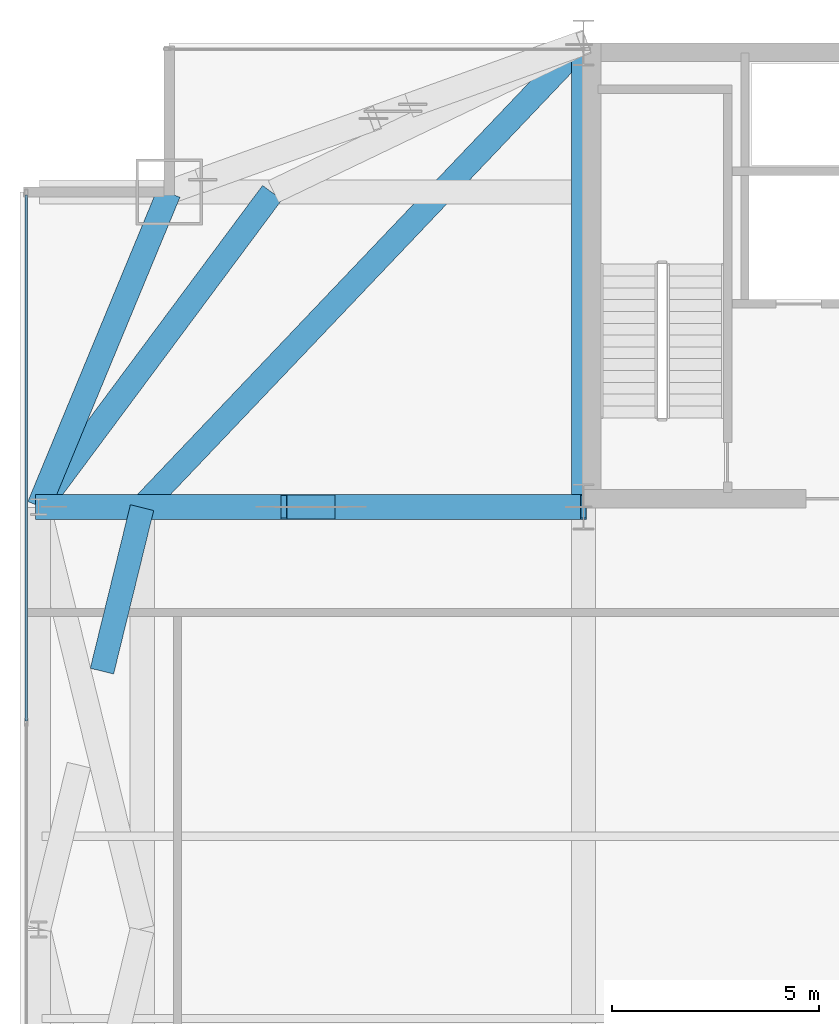
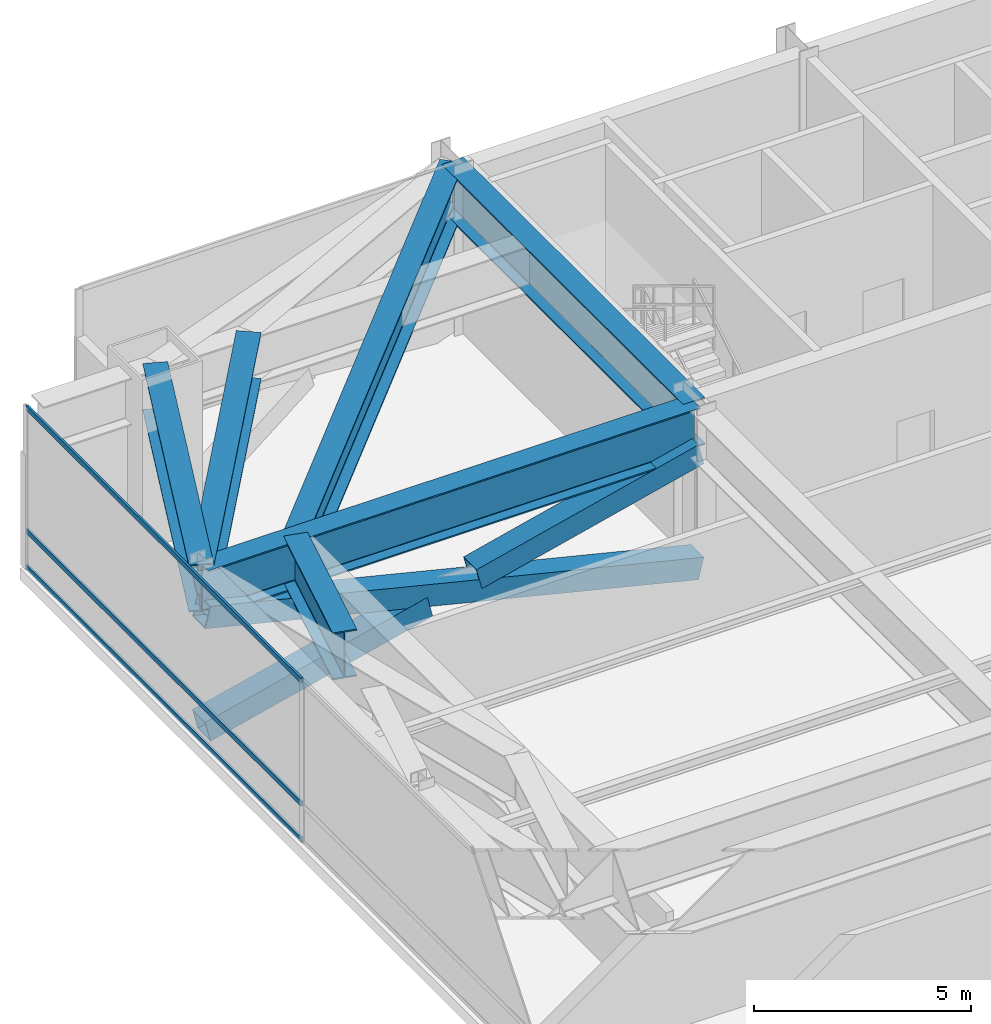
# One storey, part 21 of 30: 6 beams, 6 members, 1 element without a shape of its own.
"""IFC4 building model written with IfcOpenShell, lengths in metres."""

from ifc_helpers import new_model, si_unit, direction, frame, origin, origin_2d, place, context, subcontext, project, spatial, hollow_rectangle, i_section, extrude, source, transform, mapped, material, layer, layer_set, material_profile, profile_set, type_object, type_shapes, element, aggregate, save


model = new_model("IFC4")

# Units and contexts
model_context = context("Model", 3, precision=1e-05, world=origin(), true_north=direction((0.0, 1.0)))
body_context = subcontext(model_context, "Body", "Model", "MODEL_VIEW")
ifc_project = project(units=[si_unit("LENGTHUNIT", "METRE"), si_unit("AREAUNIT", "SQUARE_METRE"), si_unit("VOLUMEUNIT", "CUBIC_METRE"), si_unit("PLANEANGLEUNIT", "RADIAN"), si_unit("MASSUNIT", "GRAM", prefix="KILO")], contexts=[model_context])

# Site, building, storey
site_placement = place(None, origin())
site = spatial("IfcSite", under=ifc_project, at=site_placement, CompositionType="ELEMENT")
building_placement = place(site_placement, origin())
building = spatial("IfcBuilding", under=site, at=building_placement, Name="Varnel Quay Broadcast Tower", CompositionType="ELEMENT")
storey_placement = place(building_placement, frame((0.0, 0.0, 82.199951171875)))
storey = spatial("IfcBuildingStorey", under=building, at=storey_placement, Name="L19", CompositionType="ELEMENT", Elevation=82.199951171875)

# Beams
ifc_material_1 = material(Name="Structural Steel CSA G40.21 350WT", Category="steel")
ifc_material_profile_1 = material_profile(ifc_material_1, i_section(OverallWidth=0.580078125, OverallDepth=1.330078125, WebThickness=0.02197265625, FlangeThickness=0.0380859375, FilletRadius=0.02001953125, at=origin_2d()), Name="WWF1330X535")
ifc_profile_set_1 = profile_set([ifc_material_profile_1], Name="Structural Steel CSA G40.21 350WT")
beam_type = type_object("IfcBeamType", Name="Girder_WWF1330X535", PredefinedType="BEAM", material=ifc_profile_set_1)
shared_shape_1 = source(origin(), body_context, "Body", "SweptSolid", [
    extrude(i_section(OverallWidth=0.580078125, OverallDepth=1.330078125, WebThickness=0.02197265625, FlangeThickness=0.0380859375, FilletRadius=0.02001953125, at=origin_2d()), origin(), (0.0, 0.0, 1.0), 13.110107421875),
])
beam_1_placement = place(storey_placement, frame((2.469970703125, 35.60009765625, 3.885009765625), z_axis=(1.0, 0.0, 0.0), x_axis=(0.0, 1.0, 0.0)))
element("IfcBeam", 1, at=beam_1_placement, inside=storey, type_object=beam_type, Name="L19 West Core Tie Transfer", PredefinedType="BEAM", context=body_context, shape_type="MappedRepresentation", body=[
    mapped(shared_shape_1, transform((0.0, 0.0, 0.0), x_axis=(1.0, 0.0, 0.0), y_axis=(0.0, 1.0, 0.0), z_axis=(0.0, 0.0, 1.0), scale=1.0)),
])
shared_shape_2 = source(origin(), body_context, "Body", "SweptSolid", [
    extrude(i_section(OverallWidth=0.580078125, OverallDepth=1.330078125, WebThickness=0.02197265625, FlangeThickness=0.0380859375, FilletRadius=0.02001953125, at=origin_2d()), origin(), (0.0, 0.0, 1.0), 11.159912109375),
])
beam_2_placement = place(storey_placement, frame((15.60009765625, 35.6201171875, 3.885009765625), z_axis=(0.0, 1.0, 0.0), x_axis=(-1.0, 0.0, 0.0)))
element("IfcBeam", 2, at=beam_2_placement, inside=storey, type_object=beam_type, Name="L19 West Core Spine", PredefinedType="BEAM", context=body_context, shape_type="MappedRepresentation", body=[
    mapped(shared_shape_2, transform((0.0, 0.0, 0.0), x_axis=(1.0, 0.0, 0.0), y_axis=(0.0, 1.0, 0.0), z_axis=(0.0, 0.0, 1.0), scale=1.0)),
])
shared_shape_3 = source(origin(), body_context, "Body", "SweptSolid", [
    extrude(i_section(OverallWidth=0.580078125, OverallDepth=1.330078125, WebThickness=0.02197265625, FlangeThickness=0.0380859375, FilletRadius=0.02001953125, at=origin_2d()), origin(), (0.0, 0.0, 1.0), 8.186767578125),
])
beam_3_placement = place(storey_placement, frame((2.457763671875, 35.618408203125, 3.885009765625), z_axis=(0.382874132092, 0.923800519038, 0.0), x_axis=(-0.923800519038, 0.382874132092, 0.0)))
element("IfcBeam", 3, at=beam_3_placement, inside=storey, type_object=beam_type, Name="L19 West Transfer Spine TC-W3-MC-NW", PredefinedType="BEAM", context=body_context, shape_type="MappedRepresentation", body=[
    mapped(shared_shape_3, transform((0.0, 0.0, 0.0), x_axis=(1.0, 0.0, 0.0), y_axis=(0.0, 1.0, 0.0), z_axis=(0.0, 0.0, 1.0), scale=1.0)),
])
shared_shape_4 = source(origin(), body_context, "Body", "SweptSolid", [
    extrude(i_section(OverallWidth=0.580078125, OverallDepth=1.330078125, WebThickness=0.02197265625, FlangeThickness=0.0380859375, FilletRadius=0.02001953125, at=origin_2d()), origin(), (0.0, 0.0, 1.0), 9.429931640625),
])
beam_4_placement = place(storey_placement, frame((2.4619140625, 35.6162109375, 3.885009765625), z_axis=(0.596635222222, 0.802512561649, 0.0), x_axis=(-0.802512561649, 0.596635222222, 0.0)))
element("IfcBeam", 4, at=beam_4_placement, inside=storey, type_object=beam_type, Name="L19 Nodal Transfer Tie MC-NW-TC-W3", PredefinedType="BEAM", context=body_context, shape_type="MappedRepresentation", body=[
    mapped(shared_shape_4, transform((0.0, 0.0, 0.0), x_axis=(1.0, 0.0, 0.0), y_axis=(0.0, 1.0, 0.0), z_axis=(0.0, 0.0, 1.0), scale=1.0)),
])
shared_shape_5 = source(origin(), body_context, "Body", "SweptSolid", [
    extrude(i_section(OverallWidth=0.580078125, OverallDepth=1.330078125, WebThickness=0.02197265625, FlangeThickness=0.0380859375, FilletRadius=0.02001953125, at=origin_2d()), origin(), (0.0, 0.0, 1.0), 15.4150390625),
])
beam_5_placement = place(storey_placement, frame((15.586181640625, 46.785400390625, 3.885009765625), z_axis=(-0.689089036424, -0.724676686447, 0.0), x_axis=(0.724676686447, -0.689089036424, 0.0)))
element("IfcBeam", 5, at=beam_5_placement, inside=storey, type_object=beam_type, Name="L19 Nodal Transfer Tie TC-W3-CC-N1", PredefinedType="BEAM", context=body_context, shape_type="MappedRepresentation", body=[
    mapped(shared_shape_5, transform((0.0, 0.0, 0.0), x_axis=(1.0, 0.0, 0.0), y_axis=(0.0, 1.0, 0.0), z_axis=(0.0, 0.0, 1.0), scale=1.0)),
])
shared_shape_6 = source(origin(), body_context, "Body", "SweptSolid", [
    extrude(i_section(OverallWidth=0.580078125, OverallDepth=1.330078125, WebThickness=0.02197265625, FlangeThickness=0.0380859375, FilletRadius=0.02001953125, at=origin_2d()), origin(), (0.0, 0.0, 1.0), 4.06298828125),
])
type_shapes(beam_type, [shared_shape_1, shared_shape_2, shared_shape_3, shared_shape_4, shared_shape_5, shared_shape_6])
beam_6_placement = place(storey_placement, frame((3.97802734375, 31.63427734375, 3.885009765625), z_axis=(0.238065394909, 0.97124912754, 0.0), x_axis=(-0.97124912754, 0.238065394909, 0.0)))
element("IfcBeam", 6, at=beam_6_placement, inside=storey, type_object=beam_type, Name="L19 X-Braced Transfer Tie TC-W3-TC-W2 Part 2", PredefinedType="BEAM", context=body_context, shape_type="MappedRepresentation", body=[
    mapped(shared_shape_6, transform((0.0, 0.0, 0.0), x_axis=(1.0, 0.0, 0.0), y_axis=(0.0, 1.0, 0.0), z_axis=(0.0, 0.0, 1.0), scale=1.0)),
])

# Members
ifc_material_profile_2 = material_profile(ifc_material_1, hollow_rectangle(XDim=0.60009765625, YDim=0.60009765625, WallThickness=0.028076171875, at=origin_2d()), Name="BOX600X600X28")
ifc_profile_set_2 = profile_set([ifc_material_profile_2], Name="Structural Steel CSA G40.21 350WT")
member_type_1 = type_object("IfcMemberType", Name="Outrigger_BOX600X600X28", PredefinedType="BRACE", material=ifc_profile_set_2)
shared_shape_7 = source(origin(), body_context, "Body", "SweptSolid", [
    extrude(hollow_rectangle(XDim=0.60009765625, YDim=0.60009765625, WallThickness=0.028076171875, at=origin_2d()), origin(), (0.0, 0.0, 1.0), 13.53857421875),
])
member_1_placement = place(storey_placement, frame((15.60009765625, 35.60009765625, 0.02001953125), z_axis=(-0.971305388672, 0.0, 0.23783574571), x_axis=(0.0, -1.0, 0.0)))
element("IfcMember", 7, at=member_1_placement, inside=storey, type_object=member_type_1, Name="L19 Outrigger W Continuous Diag A", PredefinedType="BRACE", context=body_context, shape_type="MappedRepresentation", body=[
    mapped(shared_shape_7, transform((0.0, 0.0, 0.0), x_axis=(1.0, 0.0, 0.0), y_axis=(0.0, 1.0, 0.0), z_axis=(0.0, 0.0, 1.0), scale=1.0)),
])
shared_shape_8 = source(origin(), body_context, "Body", "SweptSolid", [
    extrude(hollow_rectangle(XDim=0.60009765625, YDim=0.60009765625, WallThickness=0.028076171875, at=origin_2d()), origin(), (0.0, 0.0, 1.0), 6.094970703125),
])
type_shapes(member_type_1, [shared_shape_7, shared_shape_8])
for number, where, z_axis, x_axis, name in (
    (8, (2.449951171875, 35.60009765625, 0.02001953125), (0.971302221944, 0.0, 0.237848678044), (0.0, 1.0, 0.0), "L19 Outrigger W Split Diag B1"),
    (9, (9.679931640625, 35.60009765625, 1.79052734375), (0.971311475002, 0.0, 0.237810888164), (0.0, 1.0, 0.0), "L19 Outrigger W Split Diag B2"),
):
    element("IfcMember", number, at=place(storey_placement, frame(where, z_axis=z_axis, x_axis=x_axis)), inside=storey, type_object=member_type_1, Name=name, PredefinedType="BRACE", context=body_context, shape_type="MappedRepresentation", body=[
        mapped(shared_shape_8, transform((0.0, 0.0, 0.0), x_axis=(1.0, 0.0, 0.0), y_axis=(0.0, 1.0, 0.0), z_axis=(0.0, 0.0, 1.0), scale=1.0)),
    ])

# Curtain wall, members
ifc_material_2 = material(Name="Anodised Bronze Aluminium 6063-T6", Category="aluminium")
ifc_layer = layer(ifc_material_2, 0.18994140625, Name="Anodised Bronze Aluminium 6063-T6")
ifc_layer_set = layer_set([ifc_layer], Name="Anodised Bronze Aluminium 6063-T6")
curtain_wall_type = type_object("IfcCurtainWallType", Name="CW_LowerTower", PredefinedType="NOTDEFINED", material=ifc_layer_set)
curtain_wall_placement = place(storey_placement, origin())
curtain_wall = element("IfcCurtainWall", 10, at=curtain_wall_placement, inside=storey, type_object=curtain_wall_type, Name="L19 West Unitised Curtain Wall", PredefinedType="NOTDEFINED")
ifc_material_profile_3 = material_profile(ifc_material_2, hollow_rectangle(XDim=0.06005859375, YDim=0.14501953125, WallThickness=0.00341796875, at=origin_2d()), Name="ALU60X145X3.5")
ifc_profile_set_3 = profile_set([ifc_material_profile_3], Name="Anodised Bronze Aluminium 6063-T6")
member_type_2 = type_object("IfcMemberType", Name="Tran_CWS-02", PredefinedType="USERDEFINED", material=ifc_profile_set_3)
shared_shape_9 = source(origin(), body_context, "Body", "SweptSolid", [
    extrude(hollow_rectangle(XDim=0.06005859375, YDim=0.14501953125, WallThickness=0.00341796875, at=origin_2d()), origin(), (0.0, 0.0, 1.0), 12.69482421875),
])
type_shapes(member_type_2, [shared_shape_9])
member_2_placement = place(storey_placement, frame((2.14990234375, 30.43505859375, 0.030029296875), z_axis=(0.0, 1.0, 0.0), x_axis=(-1.0, 0.0, 0.0)))
member_2 = element("IfcMember", 11, at=member_2_placement, type_object=member_type_2, Name="CWS-02 transom 3.1", ObjectType="TRANSOM", PredefinedType="USERDEFINED", context=body_context, shape_type="MappedRepresentation", body=[
    mapped(shared_shape_9, transform((0.0, 0.0, 0.0), x_axis=(1.0, 0.0, 0.0), y_axis=(0.0, 1.0, 0.0), z_axis=(0.0, 0.0, 1.0), scale=1.0)),
])
member_3_placement = place(storey_placement, frame((2.14990234375, 30.43505859375, 1.050048828125), z_axis=(0.0, 1.0, 0.0), x_axis=(-1.0, 0.0, 0.0)))
member_3 = element("IfcMember", 12, at=member_3_placement, type_object=member_type_2, Name="CWS-02 transom 3.2", ObjectType="TRANSOM", PredefinedType="USERDEFINED", context=body_context, shape_type="MappedRepresentation", body=[
    mapped(shared_shape_9, transform((0.0, 0.0, 0.0), x_axis=(1.0, 0.0, 0.0), y_axis=(0.0, 1.0, 0.0), z_axis=(0.0, 0.0, 1.0), scale=1.0)),
])
member_4_placement = place(storey_placement, frame((2.14990234375, 30.43505859375, 4.52001953125), z_axis=(0.0, 1.0, 0.0), x_axis=(-1.0, 0.0, 0.0)))
member_4 = element("IfcMember", 13, at=member_4_placement, type_object=member_type_2, Name="CWS-02 transom 3.3", ObjectType="TRANSOM", PredefinedType="USERDEFINED", context=body_context, shape_type="MappedRepresentation", body=[
    mapped(shared_shape_9, transform((0.0, 0.0, 0.0), x_axis=(1.0, 0.0, 0.0), y_axis=(0.0, 1.0, 0.0), z_axis=(0.0, 0.0, 1.0), scale=1.0)),
])
aggregate(curtain_wall, [member_2, member_3, member_4])

save(model, "model.ifc")
